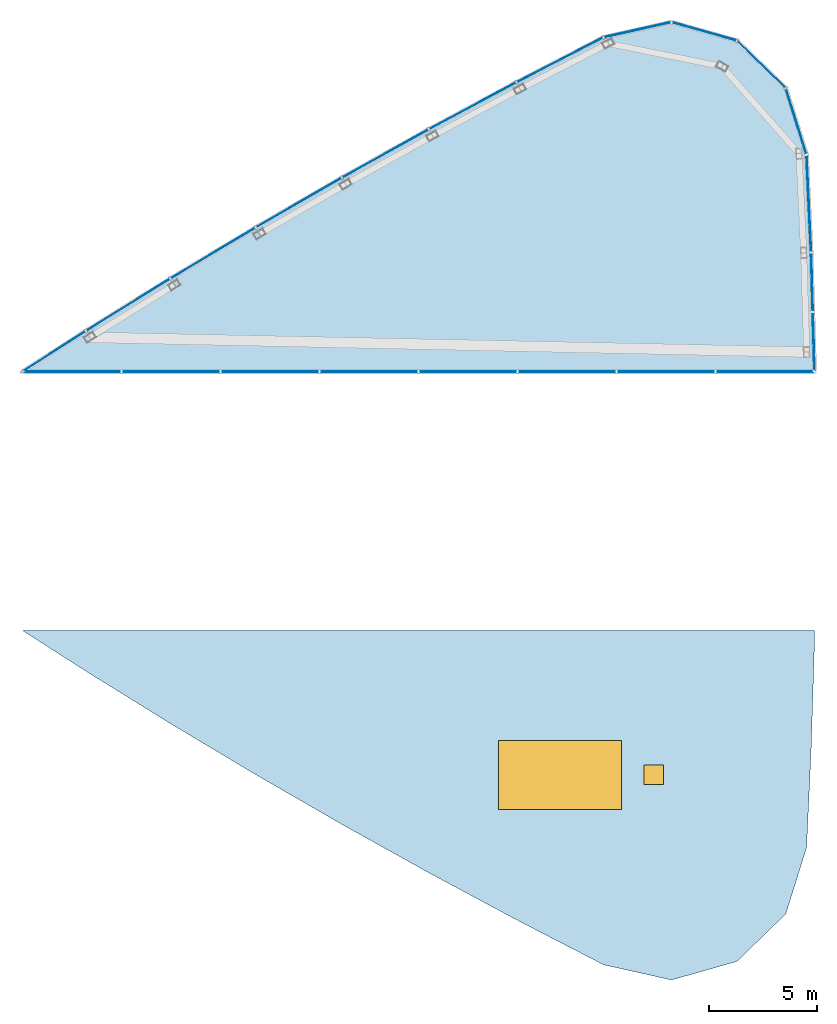
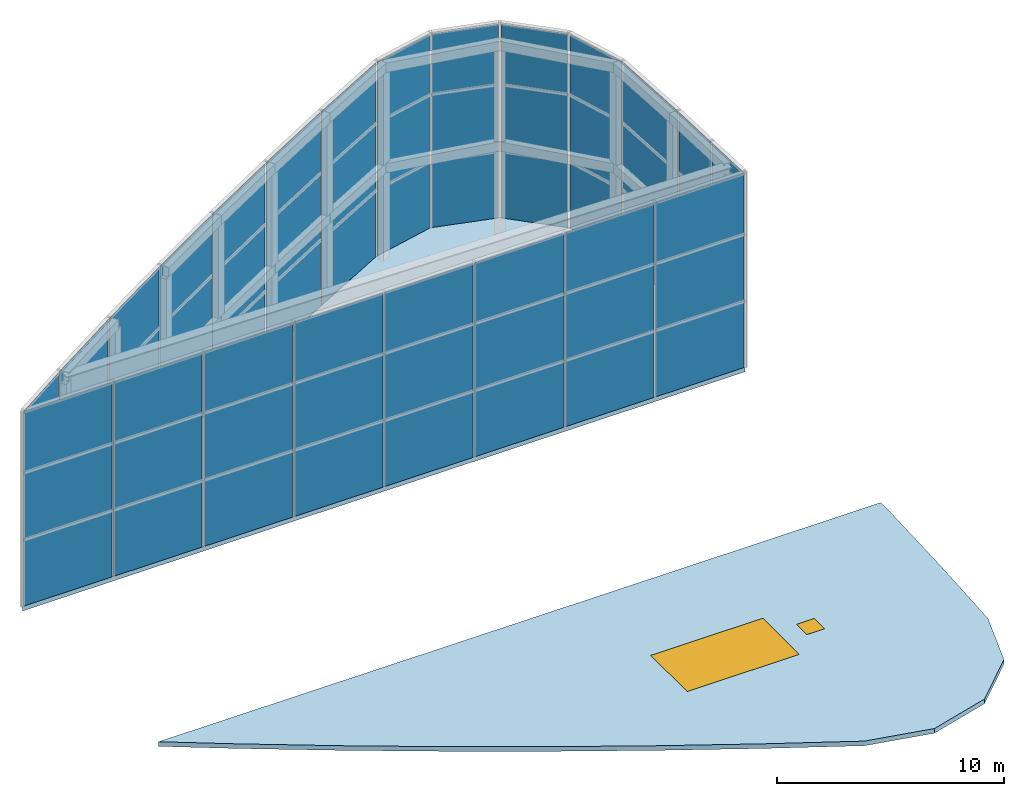
"""IFC4 building model written with IfcOpenShell, lengths in metres."""

from ifc_helpers import new_model, si_unit, direction, frame, origin, origin_2d, place, context, subcontext, project, spatial, polyline, rectangle, outline, extrude, material, layer, layer_set, type_object, element, fill, aggregate, save


model = new_model("IFC4")

# Units and contexts
model_context = context("Model", 3, precision=1e-05, world=origin(), true_north=direction((0.0, 1.0)))
body_context = subcontext(model_context, "Body", "Model", "MODEL_VIEW")
ifc_project = project(units=[si_unit("LENGTHUNIT", "METRE"), si_unit("AREAUNIT", "SQUARE_METRE"), si_unit("VOLUMEUNIT", "CUBIC_METRE"), si_unit("PLANEANGLEUNIT", "RADIAN"), si_unit("MASSUNIT", "GRAM", prefix="KILO")], contexts=[model_context])

# Site, building, storey
site_placement = place(None, origin())
site = spatial("IfcSite", under=ifc_project, at=site_placement, CompositionType="ELEMENT")
building_placement = place(site_placement, origin())
building = spatial("IfcBuilding", under=site, at=building_placement, Name="Tamra Quay Hotel Tower", CompositionType="ELEMENT")
storey_1_placement = place(building_placement, frame((0.0, 0.0, 338.60009765625)))
storey_1 = spatial("IfcBuildingStorey", under=building, at=storey_1_placement, Name="Roof crown 6", CompositionType="ELEMENT", Elevation=338.60009765625)

# Curtain wall, plates
ifc_material_1 = material(Name="Aluminium 6063 anodised dark grey", Category="aluminium")
curtain_wall_type = type_object("IfcCurtainWallType", Name="CW6 CURTAIN WALL", PredefinedType="NOTDEFINED", material=ifc_material_1)
curtain_wall_placement = place(storey_1_placement, origin())
curtain_wall = element("IfcCurtainWall", 1, at=curtain_wall_placement, inside=storey_1, type_object=curtain_wall_type, Name="CW6 lantern A face Roof crown 6", PredefinedType="NOTDEFINED")
ifc_material_2 = material(Name="Glass clear laminated low-iron", Category="glass")
ifc_layer_1 = layer(ifc_material_2, 0.030029296875)
ifc_layer_set_1 = layer_set([ifc_layer_1], Name="GLASS PANEL CW6")
plate_type = type_object("IfcPlateType", Name="GLASS PANEL CW6", PredefinedType="CURTAIN_PANEL", material=ifc_layer_set_1)
plate_1_placement = place(storey_1_placement, frame((15.66162109375, 13.796142578125, 0.0), z_axis=(0.0, 0.0, 1.0), x_axis=(-0.046821305973, 0.998903281257, 0.0)))
plate_1 = element("IfcPlate", 2, at=plate_1_placement, type_object=plate_type, Name="CW6 glass Roof crown 6.A.1", PredefinedType="CURTAIN_PANEL", context=body_context, shape_type="SweptSolid", body=[
    extrude(rectangle(XDim=4.440185546875, YDim=0.030029296875, at=origin_2d()), origin(), (0.0, 0.0, 1.0), 10.409912109375),
])
plate_2_placement = place(storey_1_placement, frame((15.072998046875, 17.6064453125, 0.0), z_axis=(0.0, 0.0, 1.0), x_axis=(-0.29839239288, 0.954443282689, 0.0)))
plate_2 = element("IfcPlate", 3, at=plate_2_placement, type_object=plate_type, Name="CW6 glass Roof crown 6.A.2", PredefinedType="CURTAIN_PANEL", context=body_context, shape_type="SweptSolid", body=[
    extrude(rectangle(XDim=3.132568359375, YDim=0.030029296875, at=origin_2d()), origin(), (0.0, 0.0, 1.0), 10.409912109375),
])
plate_3_placement = place(storey_1_placement, frame((13.458984375, 20.250244140625, 0.0), z_axis=(0.0, 0.0, 1.0), x_axis=(-0.716752699854, 0.69732744622, 0.0)))
plate_3 = element("IfcPlate", 4, at=plate_3_placement, type_object=plate_type, Name="CW6 glass Roof crown 6.A.3", PredefinedType="CURTAIN_PANEL", context=body_context, shape_type="SweptSolid", body=[
    extrude(rectangle(XDim=3.05810546875, YDim=0.030029296875, at=origin_2d()), origin(), (0.0, 0.0, 1.0), 10.409912109375),
])
plate_4_placement = place(storey_1_placement, frame((10.807861328125, 21.781005859375, 0.0), z_axis=(0.0, 0.0, 1.0), x_axis=(-0.96227963311, 0.272062323195, 0.0)))
plate_4 = element("IfcPlate", 5, at=plate_4_placement, type_object=plate_type, Name="CW6 glass Roof crown 6.A.4", PredefinedType="CURTAIN_PANEL", context=body_context, shape_type="SweptSolid", body=[
    extrude(rectangle(XDim=3.05810546875, YDim=0.030029296875, at=origin_2d()), origin(), (0.0, 0.0, 1.0), 10.409912109375),
])
plate_5_placement = place(storey_1_placement, frame((7.711181640625, 21.85693359375, 0.0), z_axis=(0.0, 0.0, 1.0), x_axis=(-0.975768325721, -0.218806248814, 0.0)))
plate_5 = element("IfcPlate", 6, at=plate_5_placement, type_object=plate_type, Name="CW6 glass Roof crown 6.A.5", PredefinedType="CURTAIN_PANEL", context=body_context, shape_type="SweptSolid", body=[
    extrude(rectangle(XDim=3.132568359375, YDim=0.030029296875, at=origin_2d()), origin(), (0.0, 0.0, 1.0), 10.409912109375),
])
plate_6_placement = place(storey_1_placement, frame((4.116943359375, 20.46142578125, 0.0), z_axis=(0.0, 0.0, 1.0), x_axis=(-0.888486270479, -0.458903200218, 0.0)))
plate_6 = element("IfcPlate", 7, at=plate_6_placement, type_object=plate_type, Name="CW6 glass Roof crown 6.A.6", PredefinedType="CURTAIN_PANEL", context=body_context, shape_type="SweptSolid", body=[
    extrude(rectangle(XDim=4.440185546875, YDim=0.030029296875, at=origin_2d()), origin(), (0.0, 0.0, 1.0), 10.409912109375),
])
plate_7_placement = place(storey_1_placement, frame((0.06787109375, 18.32958984375, 0.0), z_axis=(0.0, 0.0, 1.0), x_axis=(-0.881223582111, -0.472699691486, 0.0)))
plate_7 = element("IfcPlate", 8, at=plate_7_placement, type_object=plate_type, Name="CW6 glass Roof crown 6.A.7", PredefinedType="CURTAIN_PANEL", context=body_context, shape_type="SweptSolid", body=[
    extrude(rectangle(XDim=4.51220703125, YDim=0.030029296875, at=origin_2d()), origin(), (0.0, 0.0, 1.0), 10.409912109375),
])
plate_8_placement = place(storey_1_placement, frame((-3.9794921875, 16.11767578125, 0.0), z_axis=(0.0, 0.0, 1.0), x_axis=(-0.873735522847, -0.486401311794, 0.0)))
plate_8 = element("IfcPlate", 9, at=plate_8_placement, type_object=plate_type, Name="CW6 glass Roof crown 6.A.8", PredefinedType="CURTAIN_PANEL", context=body_context, shape_type="SweptSolid", body=[
    extrude(rectangle(XDim=4.5126953125, YDim=0.030029296875, at=origin_2d()), origin(), (0.0, 0.0, 1.0), 10.409912109375),
])
plate_9_placement = place(storey_1_placement, frame((-7.991943359375, 13.842529296875, 0.0), z_axis=(0.0, 0.0, 1.0), x_axis=(-0.866025403784, -0.5, 0.0)))
plate_9 = element("IfcPlate", 10, at=plate_9_placement, type_object=plate_type, Name="CW6 glass Roof crown 6.A.9", PredefinedType="CURTAIN_PANEL", context=body_context, shape_type="SweptSolid", body=[
    extrude(rectangle(XDim=4.5126953125, YDim=0.030029296875, at=origin_2d()), origin(), (0.0, 0.0, 1.0), 10.409912109375),
])
plate_10_placement = place(storey_1_placement, frame((-11.968505859375, 11.505126953125, 0.0), z_axis=(0.0, 0.0, 1.0), x_axis=(-0.858103653871, -0.513476503078, 0.0)))
plate_10 = element("IfcPlate", 11, at=plate_10_placement, type_object=plate_type, Name="CW6 glass Roof crown 6.A.10", PredefinedType="CURTAIN_PANEL", context=body_context, shape_type="SweptSolid", body=[
    extrude(rectangle(XDim=4.5126953125, YDim=0.030029296875, at=origin_2d()), origin(), (0.0, 0.0, 1.0), 10.409912109375),
])
plate_11_placement = place(storey_1_placement, frame((-15.90771484375, 9.10595703125, 0.0), z_axis=(0.0, 0.0, 1.0), x_axis=(-0.849981732244, -0.526812162779, 0.0)))
plate_11 = element("IfcPlate", 12, at=plate_11_placement, type_object=plate_type, Name="CW6 glass Roof crown 6.A.11", PredefinedType="CURTAIN_PANEL", context=body_context, shape_type="SweptSolid", body=[
    extrude(rectangle(XDim=4.51220703125, YDim=0.030029296875, at=origin_2d()), origin(), (0.0, 0.0, 1.0), 10.409912109375),
])
plate_12_placement = place(storey_1_placement, frame((-19.341796875, 6.945556640625, 0.0), z_axis=(0.0, 0.0, 1.0), x_axis=(-0.841664964506, -0.54000008104, 0.0)))
plate_12 = element("IfcPlate", 13, at=plate_12_placement, type_object=plate_type, Name="CW6 glass Roof crown 6.A.12", PredefinedType="CURTAIN_PANEL", context=body_context, shape_type="SweptSolid", body=[
    extrude(rectangle(XDim=3.402099609375, YDim=0.030029296875, at=origin_2d()), origin(), (0.0, 0.0, 1.0), 10.409912109375),
])
plate_13_placement = place(storey_1_placement, frame((-18.519287109375, 6.0, 0.0), z_axis=(0.0, 0.0, 1.0), x_axis=(1.0, 0.0, 0.0)))
plate_13 = element("IfcPlate", 14, at=plate_13_placement, type_object=plate_type, Name="CW6 glass Roof crown 6.A.13", PredefinedType="CURTAIN_PANEL", context=body_context, shape_type="SweptSolid", body=[
    extrude(rectangle(XDim=4.49267578125, YDim=0.030029296875, at=origin_2d()), origin(), (0.0, 0.0, 1.0), 10.409912109375),
])
plate_14_placement = place(storey_1_placement, frame((-13.926513671875, 6.0, 0.0), z_axis=(0.0, 0.0, 1.0), x_axis=(1.0, 0.0, 0.0)))
plate_14 = element("IfcPlate", 15, at=plate_14_placement, type_object=plate_type, Name="CW6 glass Roof crown 6.A.14", PredefinedType="CURTAIN_PANEL", context=body_context, shape_type="SweptSolid", body=[
    extrude(rectangle(XDim=4.49267578125, YDim=0.030029296875, at=origin_2d()), origin(), (0.0, 0.0, 1.0), 10.409912109375),
])
plate_15_placement = place(storey_1_placement, frame((-9.333740234375, 6.0, 0.0), z_axis=(0.0, 0.0, 1.0), x_axis=(1.0, 0.0, 0.0)))
plate_15 = element("IfcPlate", 16, at=plate_15_placement, type_object=plate_type, Name="CW6 glass Roof crown 6.A.15", PredefinedType="CURTAIN_PANEL", context=body_context, shape_type="SweptSolid", body=[
    extrude(rectangle(XDim=4.49267578125, YDim=0.030029296875, at=origin_2d()), origin(), (0.0, 0.0, 1.0), 10.409912109375),
])
plate_16_placement = place(storey_1_placement, frame((-4.740966796875, 6.0, 0.0), z_axis=(0.0, 0.0, 1.0), x_axis=(1.0, 0.0, 0.0)))
plate_16 = element("IfcPlate", 17, at=plate_16_placement, type_object=plate_type, Name="CW6 glass Roof crown 6.A.16", PredefinedType="CURTAIN_PANEL", context=body_context, shape_type="SweptSolid", body=[
    extrude(rectangle(XDim=4.49267578125, YDim=0.030029296875, at=origin_2d()), origin(), (0.0, 0.0, 1.0), 10.409912109375),
])
plate_17_placement = place(storey_1_placement, frame((-0.148193359375, 6.0, 0.0), z_axis=(0.0, 0.0, 1.0), x_axis=(1.0, 0.0, 0.0)))
plate_17 = element("IfcPlate", 18, at=plate_17_placement, type_object=plate_type, Name="CW6 glass Roof crown 6.A.17", PredefinedType="CURTAIN_PANEL", context=body_context, shape_type="SweptSolid", body=[
    extrude(rectangle(XDim=4.49267578125, YDim=0.030029296875, at=origin_2d()), origin(), (0.0, 0.0, 1.0), 10.409912109375),
])
plate_18_placement = place(storey_1_placement, frame((4.444580078125, 6.0, 0.0), z_axis=(0.0, 0.0, 1.0), x_axis=(1.0, 0.0, 0.0)))
plate_18 = element("IfcPlate", 19, at=plate_18_placement, type_object=plate_type, Name="CW6 glass Roof crown 6.A.18", PredefinedType="CURTAIN_PANEL", context=body_context, shape_type="SweptSolid", body=[
    extrude(rectangle(XDim=4.49267578125, YDim=0.030029296875, at=origin_2d()), origin(), (0.0, 0.0, 1.0), 10.409912109375),
])
plate_19_placement = place(storey_1_placement, frame((9.037353515625, 6.0, 0.0), z_axis=(0.0, 0.0, 1.0), x_axis=(1.0, 0.0, 0.0)))
plate_19 = element("IfcPlate", 20, at=plate_19_placement, type_object=plate_type, Name="CW6 glass Roof crown 6.A.19", PredefinedType="CURTAIN_PANEL", context=body_context, shape_type="SweptSolid", body=[
    extrude(rectangle(XDim=4.49267578125, YDim=0.030029296875, at=origin_2d()), origin(), (0.0, 0.0, 1.0), 10.409912109375),
])
plate_20_placement = place(storey_1_placement, frame((13.6298828125, 6.0, 0.0), z_axis=(0.0, 0.0, 1.0), x_axis=(1.0, 0.0, 0.0)))
plate_20 = element("IfcPlate", 21, at=plate_20_placement, type_object=plate_type, Name="CW6 glass Roof crown 6.A.20", PredefinedType="CURTAIN_PANEL", context=body_context, shape_type="SweptSolid", body=[
    extrude(rectangle(XDim=4.49267578125, YDim=0.030029296875, at=origin_2d()), origin(), (0.0, 0.0, 1.0), 10.409912109375),
])
plate_21_placement = place(storey_1_placement, frame((15.88671875, 7.382080078125, 0.0), z_axis=(0.0, 0.0, 1.0), x_axis=(-0.028649831581, 0.999589509324, 0.0)))
plate_21 = element("IfcPlate", 22, at=plate_21_placement, type_object=plate_type, Name="CW6 glass Roof crown 6.A.21", PredefinedType="CURTAIN_PANEL", context=body_context, shape_type="SweptSolid", body=[
    extrude(rectangle(XDim=2.665283203125, YDim=0.030029296875, at=origin_2d()), origin(), (0.0, 0.0, 1.0), 10.409912109375),
])
plate_22_placement = place(storey_1_placement, frame((15.8076171875, 10.146484375, 0.0), z_axis=(0.0, 0.0, 1.0), x_axis=(-0.028649831581, 0.999589509324, 0.0)))
plate_22 = element("IfcPlate", 23, at=plate_22_placement, type_object=plate_type, Name="CW6 glass Roof crown 6.A.22", PredefinedType="CURTAIN_PANEL", context=body_context, shape_type="SweptSolid", body=[
    extrude(rectangle(XDim=2.665283203125, YDim=0.030029296875, at=origin_2d()), origin(), (0.0, 0.0, 1.0), 10.409912109375),
])
aggregate(curtain_wall, [plate_1, plate_2, plate_3, plate_4, plate_5, plate_6, plate_7, plate_8, plate_9, plate_10, plate_11, plate_12, plate_13, plate_14, plate_15, plate_16, plate_17, plate_18, plate_19, plate_20, plate_21, plate_22])

# Slab, openings
ifc_material_3 = material(Name="Reinforced concrete M60", Category="concrete")
ifc_layer_2 = layer(ifc_material_3, 0.25)
ifc_layer_set_2 = layer_set([ifc_layer_2], Name="LANTERN ROOF SLAB 250")
slab_type_1 = type_object("IfcSlabType", Name="LANTERN ROOF SLAB 250", PredefinedType="ROOF", material=ifc_layer_set_2)
slab_1_placement = place(storey_1_placement, frame((0.0, 0.0, -0.25)))
slab_1 = element("IfcSlab", 24, at=slab_1_placement, inside=storey_1, type_object=slab_type_1, Name="Lantern B roof slab", PredefinedType="ROOF", context=body_context, shape_type="SweptSolid", body=[
    extrude(outline(polyline([(15.912109375, -6.91845703125), (15.92626953125, -6.0), (-20.815673828125, -6.0), (-17.867919921875, -7.89111328125), (-13.947509765625, -10.321044921875), (-9.989501953125, -12.689453125), (-5.99462890625, -14.995849609375), (-1.96435546875, -17.239501953125), (2.10009765625, -19.419677734375), (6.134033203125, -21.503173828125), (9.288330078125, -22.21044921875), (12.3271484375, -21.351318359375), (14.5908203125, -19.149169921875), (15.555419921875, -16.063720703125), (15.767822265625, -11.528564453125), (15.912109375, -6.91845703125)])), origin(), (0.0, 0.0, 1.0), 0.25),
])
opening_1_placement = place(slab_1_placement, frame((4.1240234375, -12.697998046875, 0.0)))
opening_1 = element("IfcOpeningElement", 25, at=opening_1_placement, cuts=slab_1, Name="Opening SK2-57", PredefinedType="OPENING", context=body_context, shape_type="SweptSolid", body=[
    extrude(rectangle(XDim=5.699951171875, YDim=3.199951171875, at=origin_2d()), origin(), (0.0, 0.0, 1.0), 0.25),
])
opening_2_placement = place(slab_1_placement, frame((8.47412109375, -12.697998046875, 0.0)))
opening_2 = element("IfcOpeningElement", 26, at=opening_2_placement, cuts=slab_1, Name="Opening RH1", PredefinedType="OPENING", context=body_context, shape_type="SweptSolid", body=[
    extrude(rectangle(XDim=0.89990234375, YDim=0.89990234375, at=origin_2d()), origin(), (0.0, 0.0, 1.0), 0.25),
])

# Storey
storey_2_placement = place(building_placement, frame((0.0, 0.0, 335.0)))
storey_2 = spatial("IfcBuildingStorey", under=building, at=storey_2_placement, Name="Roof crown 5", CompositionType="ELEMENT", Elevation=335.0)

# Window
ifc_material_4 = material(Name="Laminated glass in aluminium frame", Category="aluminium")
window_type = type_object("IfcWindowType", Name="LANTERN ROOFLIGHT 5700X3200", PartitioningType="SINGLE_PANEL", PredefinedType="SKYLIGHT", material=ifc_material_4)
window_placement = place(opening_1_placement, frame((0.0, 0.0, 0.199951171875)))
window = element("IfcWindow", 27, at=window_placement, inside=storey_2, type_object=window_type, Name="SK2-57", OverallHeight=3.199951171875, OverallWidth=5.699951171875, PartitioningType="SINGLE_PANEL", PredefinedType="SKYLIGHT", context=body_context, shape_type="SweptSolid", body=[
    extrude(rectangle(XDim=5.699951171875, YDim=3.199951171875, at=origin_2d()), origin(), (0.0, 0.0, 1.0), 0.050048828125),
])

fill(opening_1, window)

# Door
ifc_material_5 = material(Name="Galvanised steel hatch", Category="steel")
door_type = type_object("IfcDoorType", Name="ROOF ACCESS HATCH 900X900", OperationType="NOTDEFINED", PredefinedType="TRAPDOOR", material=ifc_material_5)
door_placement = place(opening_2_placement, frame((0.0, 0.0, 0.199951171875)))
door = element("IfcDoor", 28, at=door_placement, inside=storey_2, type_object=door_type, Name="RH1", OperationType="SWING_FIXED_LEFT", OverallHeight=0.89990234375, OverallWidth=0.89990234375, PredefinedType="TRAPDOOR", context=body_context, shape_type="SweptSolid", body=[
    extrude(rectangle(XDim=0.89990234375, YDim=0.89990234375, at=origin_2d()), origin(), (0.0, 0.0, 1.0), 0.050048828125),
])

fill(opening_2, door)

# Slab
ifc_material_6 = material(Name="Concrete M60", Category="concrete")
ifc_layer_3 = layer(ifc_material_6, 0.25)
ifc_layer_set_3 = layer_set([ifc_layer_3], Name="ROOF SLAB PT 250")
slab_type_2 = type_object("IfcSlabType", Name="ROOF SLAB PT 250", PredefinedType="ROOF", material=ifc_layer_set_3)
slab_2_placement = place(storey_1_placement, frame((0.0, 0.0, -0.25)))
element("IfcSlab", 29, at=slab_2_placement, inside=storey_1, type_object=slab_type_2, Name="SLAB-Roofcrown6", PredefinedType="ROOF", context=body_context, shape_type="SweptSolid", body=[
    extrude(outline(polyline([(15.767822265625, 11.528564453125), (15.912109375, 6.91845703125), (15.926513671875, 6.0), (-20.815673828125, 6.0), (-17.867919921875, 7.89111328125), (-13.947509765625, 10.321044921875), (-9.989501953125, 12.689453125), (-5.99462890625, 14.995849609375), (-1.96435546875, 17.239501953125), (2.10009765625, 19.419677734375), (6.134033203125, 21.503173828125), (9.288330078125, 22.21044921875), (12.3271484375, 21.351318359375), (14.5908203125, 19.149169921875), (15.555419921875, 16.063720703125), (15.767822265625, 11.528564453125)])), origin(), (0.0, 0.0, 1.0), 0.25),
])

save(model, "model.ifc")
